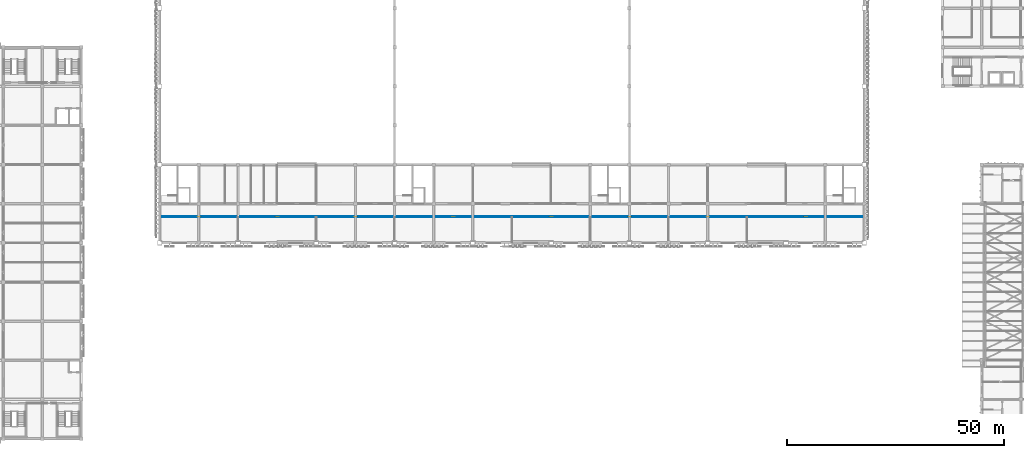
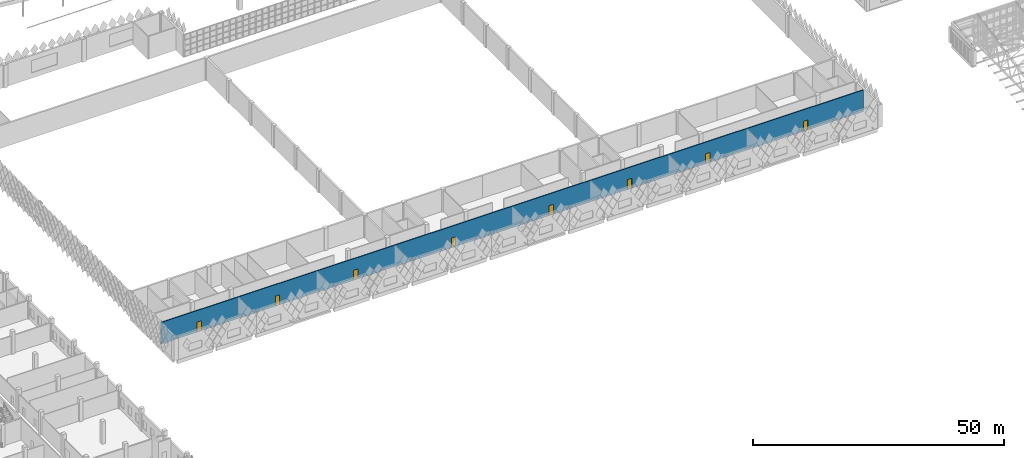
# One storey, part 114 of 185: 8 doors, 1 wall, 8 openings.
"""IFC4 building model written with IfcOpenShell, lengths in metres."""

from ifc_helpers import new_model, si_unit, direction, frame, frame_2d, origin, place, context, subcontext, project, spatial, rectangle, extrude, material, layer, layer_set, type_object, element, fill, save


model = new_model("IFC4")

# Units and contexts
model_context = context("Model", 3, precision=1e-05, world=origin(), true_north=direction((0.0, 1.0)))
body_context = subcontext(model_context, "Body", "Model", "MODEL_VIEW")
ifc_project = project(units=[si_unit("LENGTHUNIT", "METRE"), si_unit("AREAUNIT", "SQUARE_METRE"), si_unit("VOLUMEUNIT", "CUBIC_METRE"), si_unit("PLANEANGLEUNIT", "RADIAN"), si_unit("MASSUNIT", "GRAM", prefix="KILO")], contexts=[model_context])

# Site, building, storey
site_placement = place(None, origin())
site = spatial("IfcSite", under=ifc_project, at=site_placement, CompositionType="ELEMENT")
building_placement = place(site_placement, origin())
building = spatial("IfcBuilding", under=site, at=building_placement, Name="Opaline Strait Convention Centre", CompositionType="ELEMENT")
storey_placement = place(building_placement, frame((0.0, 0.0, 6.0)))
storey = spatial("IfcBuildingStorey", under=building, at=storey_placement, Name="L01", CompositionType="ELEMENT", Elevation=6.0)

# Wall, openings, doors
ifc_material_1 = material(Name="Lightweight blockwork", Category="masonry")
ifc_layer = layer(ifc_material_1, 0.199951171875)
ifc_layer_set = layer_set([ifc_layer], Name="Lightweight blockwork")
wall_type = type_object("IfcWallType", Name="Partition EI 60 blockwork 200", PredefinedType="PARTITIONING", material=ifc_layer_set)
wall_placement = place(storey_placement, frame((99.199951171875, 60.0, 0.0), z_axis=(0.0, 0.0, 1.0), x_axis=(1.0, 0.0, 0.0)))
wall = element("IfcWall", 1, at=wall_placement, inside=storey, type_object=wall_type, Name="Mezzanine corridor south wall", PredefinedType="PARTITIONING", context=body_context, shape_type="SweptSolid", body=[
    extrude(rectangle(XDim=161.60009765625, YDim=0.199951171875, at=frame_2d((80.800048828125, 0.0))), origin(), (0.0, 0.0, 1.0), 5.25),
])
opening_1_placement = place(wall_placement, frame((8.300048828125, 0.0, 0.014892578125)))
opening_1 = element("IfcOpeningElement", 2, at=opening_1_placement, cuts=wall, Name="Opening X1-009", PredefinedType="OPENING", context=body_context, shape_type="SweptSolid", body=[
    extrude(rectangle(XDim=1.0, YDim=2.39990234375, at=frame_2d((0.5, 1.199951171875))), frame((0.0, 0.10986328125, 0.0), z_axis=(0.0, -1.0, 0.0), x_axis=(1.0, 0.0, 0.0)), (0.0, 0.0, 1.0), 0.219970703125),
])
opening_2_placement = place(wall_placement, frame((26.300048828125, 0.0, 0.014892578125)))
opening_2 = element("IfcOpeningElement", 3, at=opening_2_placement, cuts=wall, Name="Opening X1-010", PredefinedType="OPENING", context=body_context, shape_type="SweptSolid", body=[
    extrude(rectangle(XDim=1.0, YDim=2.39990234375, at=frame_2d((0.5, 1.199951171875))), frame((0.0, 0.10986328125, 0.0), z_axis=(0.0, -1.0, 0.0), x_axis=(1.0, 0.0, 0.0)), (0.0, 0.0, 1.0), 0.219970703125),
])
opening_3_placement = place(wall_placement, frame((44.300048828125, 0.0, 0.014892578125)))
opening_3 = element("IfcOpeningElement", 4, at=opening_3_placement, cuts=wall, Name="Opening X1-011", PredefinedType="OPENING", context=body_context, shape_type="SweptSolid", body=[
    extrude(rectangle(XDim=1.0, YDim=2.39990234375, at=frame_2d((0.5, 1.199951171875))), frame((0.0, 0.10986328125, 0.0), z_axis=(0.0, -1.0, 0.0), x_axis=(1.0, 0.0, 0.0)), (0.0, 0.0, 1.0), 0.219970703125),
])
opening_4_placement = place(wall_placement, frame((66.800048828125, 0.0, 0.014892578125)))
opening_4 = element("IfcOpeningElement", 5, at=opening_4_placement, cuts=wall, Name="Opening X1-012", PredefinedType="OPENING", context=body_context, shape_type="SweptSolid", body=[
    extrude(rectangle(XDim=1.0, YDim=2.39990234375, at=frame_2d((0.5, 1.199951171875))), frame((0.0, 0.10986328125, 0.0), z_axis=(0.0, -1.0, 0.0), x_axis=(1.0, 0.0, 0.0)), (0.0, 0.0, 1.0), 0.219970703125),
])
opening_5_placement = place(wall_placement, frame((89.300048828125, 0.0, 0.014892578125)))
opening_5 = element("IfcOpeningElement", 6, at=opening_5_placement, cuts=wall, Name="Opening X1-013", PredefinedType="OPENING", context=body_context, shape_type="SweptSolid", body=[
    extrude(rectangle(XDim=1.0, YDim=2.39990234375, at=frame_2d((0.5, 1.199951171875))), frame((0.0, 0.10986328125, 0.0), z_axis=(0.0, -1.0, 0.0), x_axis=(1.0, 0.0, 0.0)), (0.0, 0.0, 1.0), 0.219970703125),
])
opening_6_placement = place(wall_placement, frame((107.300048828125, 0.0, 0.014892578125)))
opening_6 = element("IfcOpeningElement", 7, at=opening_6_placement, cuts=wall, Name="Opening X1-014", PredefinedType="OPENING", context=body_context, shape_type="SweptSolid", body=[
    extrude(rectangle(XDim=1.0, YDim=2.39990234375, at=frame_2d((0.5, 1.199951171875))), frame((0.0, 0.10986328125, 0.0), z_axis=(0.0, -1.0, 0.0), x_axis=(1.0, 0.0, 0.0)), (0.0, 0.0, 1.0), 0.219970703125),
])
opening_7_placement = place(wall_placement, frame((125.300048828125, 0.0, 0.014892578125)))
opening_7 = element("IfcOpeningElement", 8, at=opening_7_placement, cuts=wall, Name="Opening X1-015", PredefinedType="OPENING", context=body_context, shape_type="SweptSolid", body=[
    extrude(rectangle(XDim=1.0, YDim=2.39990234375, at=frame_2d((0.5, 1.199951171875))), frame((0.0, 0.10986328125, 0.0), z_axis=(0.0, -1.0, 0.0), x_axis=(1.0, 0.0, 0.0)), (0.0, 0.0, 1.0), 0.219970703125),
])
opening_8_placement = place(wall_placement, frame((147.800048828125, 0.0, 0.014892578125)))
opening_8 = element("IfcOpeningElement", 9, at=opening_8_placement, cuts=wall, Name="Opening X1-016", PredefinedType="OPENING", context=body_context, shape_type="SweptSolid", body=[
    extrude(rectangle(XDim=1.0, YDim=2.39990234375, at=frame_2d((0.5, 1.199951171875))), frame((0.0, 0.10986328125, 0.0), z_axis=(0.0, -1.0, 0.0), x_axis=(1.0, 0.0, 0.0)), (0.0, 0.0, 1.0), 0.219970703125),
])
ifc_material_2 = material(Name="Steel Q235B", Category="steel")
door_type = type_object("IfcDoorType", Name="Single door FD30 1000 x 2400", OperationType="SINGLE_SWING_LEFT", PredefinedType="DOOR", material=ifc_material_2)
door_1_placement = place(opening_1_placement, frame((1.0, 0.0, 0.0), z_axis=(0.0, 0.0, 1.0), x_axis=(-1.0, 0.0, 0.0)))
door_1 = element("IfcDoor", 10, at=door_1_placement, inside=storey, type_object=door_type, Name="Organiser Office 1.01 door", ObjectType="XD8", OperationType="SINGLE_SWING_LEFT", OverallHeight=2.39990234375, OverallWidth=1.0, PredefinedType="DOOR", context=body_context, shape_type="SweptSolid", body=[
    extrude(rectangle(XDim=1.0, YDim=2.39990234375, at=frame_2d((0.5, 1.199951171875))), frame((0.0, 0.02490234375, 0.0), z_axis=(0.0, -1.0, 0.0), x_axis=(1.0, 0.0, 0.0)), (0.0, 0.0, 1.0), 0.050048828125),
])
fill(opening_1, door_1)
door_2_placement = place(opening_2_placement, frame((1.0, 0.0, 0.0), z_axis=(0.0, 0.0, 1.0), x_axis=(-1.0, 0.0, 0.0)))
door_2 = element("IfcDoor", 11, at=door_2_placement, inside=storey, type_object=door_type, Name="Organiser Office 1.02 door", ObjectType="XD8", OperationType="SINGLE_SWING_LEFT", OverallHeight=2.39990234375, OverallWidth=1.0, PredefinedType="DOOR", context=body_context, shape_type="SweptSolid", body=[
    extrude(rectangle(XDim=1.0, YDim=2.39990234375, at=frame_2d((0.5, 1.199951171875))), frame((0.0, 0.02490234375, 0.0), z_axis=(0.0, -1.0, 0.0), x_axis=(1.0, 0.0, 0.0)), (0.0, 0.0, 1.0), 0.050048828125),
])
fill(opening_2, door_2)
door_3_placement = place(opening_3_placement, frame((1.0, 0.0, 0.0), z_axis=(0.0, 0.0, 1.0), x_axis=(-1.0, 0.0, 0.0)))
door_3 = element("IfcDoor", 12, at=door_3_placement, inside=storey, type_object=door_type, Name="Press Room 1.03 door", ObjectType="XD8", OperationType="SINGLE_SWING_LEFT", OverallHeight=2.39990234375, OverallWidth=1.0, PredefinedType="DOOR", context=body_context, shape_type="SweptSolid", body=[
    extrude(rectangle(XDim=1.0, YDim=2.39990234375, at=frame_2d((0.5, 1.199951171875))), frame((0.0, 0.02490234375, 0.0), z_axis=(0.0, -1.0, 0.0), x_axis=(1.0, 0.0, 0.0)), (0.0, 0.0, 1.0), 0.050048828125),
])
fill(opening_3, door_3)
door_4_placement = place(opening_4_placement, frame((1.0, 0.0, 0.0), z_axis=(0.0, 0.0, 1.0), x_axis=(-1.0, 0.0, 0.0)))
door_4 = element("IfcDoor", 13, at=door_4_placement, inside=storey, type_object=door_type, Name="Exhibitor Lounge 1.04 door", ObjectType="XD8", OperationType="SINGLE_SWING_LEFT", OverallHeight=2.39990234375, OverallWidth=1.0, PredefinedType="DOOR", context=body_context, shape_type="SweptSolid", body=[
    extrude(rectangle(XDim=1.0, YDim=2.39990234375, at=frame_2d((0.5, 1.199951171875))), frame((0.0, 0.02490234375, 0.0), z_axis=(0.0, -1.0, 0.0), x_axis=(1.0, 0.0, 0.0)), (0.0, 0.0, 1.0), 0.050048828125),
])
fill(opening_4, door_4)
door_5_placement = place(opening_5_placement, frame((1.0, 0.0, 0.0), z_axis=(0.0, 0.0, 1.0), x_axis=(-1.0, 0.0, 0.0)))
door_5 = element("IfcDoor", 14, at=door_5_placement, inside=storey, type_object=door_type, Name="Press Briefing Room 1.05 door", ObjectType="XD8", OperationType="SINGLE_SWING_RIGHT", OverallHeight=2.39990234375, OverallWidth=1.0, PredefinedType="DOOR", context=body_context, shape_type="SweptSolid", body=[
    extrude(rectangle(XDim=1.0, YDim=2.39990234375, at=frame_2d((0.5, 1.199951171875))), frame((0.0, 0.02490234375, 0.0), z_axis=(0.0, -1.0, 0.0), x_axis=(1.0, 0.0, 0.0)), (0.0, 0.0, 1.0), 0.050048828125),
])
fill(opening_5, door_5)
door_6_placement = place(opening_6_placement, frame((1.0, 0.0, 0.0), z_axis=(0.0, 0.0, 1.0), x_axis=(-1.0, 0.0, 0.0)))
door_6 = element("IfcDoor", 15, at=door_6_placement, inside=storey, type_object=door_type, Name="Organiser Office 1.06 door", ObjectType="XD8", OperationType="SINGLE_SWING_RIGHT", OverallHeight=2.39990234375, OverallWidth=1.0, PredefinedType="DOOR", context=body_context, shape_type="SweptSolid", body=[
    extrude(rectangle(XDim=1.0, YDim=2.39990234375, at=frame_2d((0.5, 1.199951171875))), frame((0.0, 0.02490234375, 0.0), z_axis=(0.0, -1.0, 0.0), x_axis=(1.0, 0.0, 0.0)), (0.0, 0.0, 1.0), 0.050048828125),
])
fill(opening_6, door_6)
door_7_placement = place(opening_7_placement, frame((1.0, 0.0, 0.0), z_axis=(0.0, 0.0, 1.0), x_axis=(-1.0, 0.0, 0.0)))
door_7 = element("IfcDoor", 16, at=door_7_placement, inside=storey, type_object=door_type, Name="Meeting Room 1.07 door", ObjectType="XD8", OperationType="SINGLE_SWING_RIGHT", OverallHeight=2.39990234375, OverallWidth=1.0, PredefinedType="DOOR", context=body_context, shape_type="SweptSolid", body=[
    extrude(rectangle(XDim=1.0, YDim=2.39990234375, at=frame_2d((0.5, 1.199951171875))), frame((0.0, 0.02490234375, 0.0), z_axis=(0.0, -1.0, 0.0), x_axis=(1.0, 0.0, 0.0)), (0.0, 0.0, 1.0), 0.050048828125),
])
fill(opening_7, door_7)
door_8_placement = place(opening_8_placement, frame((1.0, 0.0, 0.0), z_axis=(0.0, 0.0, 1.0), x_axis=(-1.0, 0.0, 0.0)))
door_8 = element("IfcDoor", 17, at=door_8_placement, inside=storey, type_object=door_type, Name="Exhibitor Lounge 1.08 door", ObjectType="XD8", OperationType="SINGLE_SWING_RIGHT", OverallHeight=2.39990234375, OverallWidth=1.0, PredefinedType="DOOR", context=body_context, shape_type="SweptSolid", body=[
    extrude(rectangle(XDim=1.0, YDim=2.39990234375, at=frame_2d((0.5, 1.199951171875))), frame((0.0, 0.02490234375, 0.0), z_axis=(0.0, -1.0, 0.0), x_axis=(1.0, 0.0, 0.0)), (0.0, 0.0, 1.0), 0.050048828125),
])
fill(opening_8, door_8)

save(model, "model.ifc")
